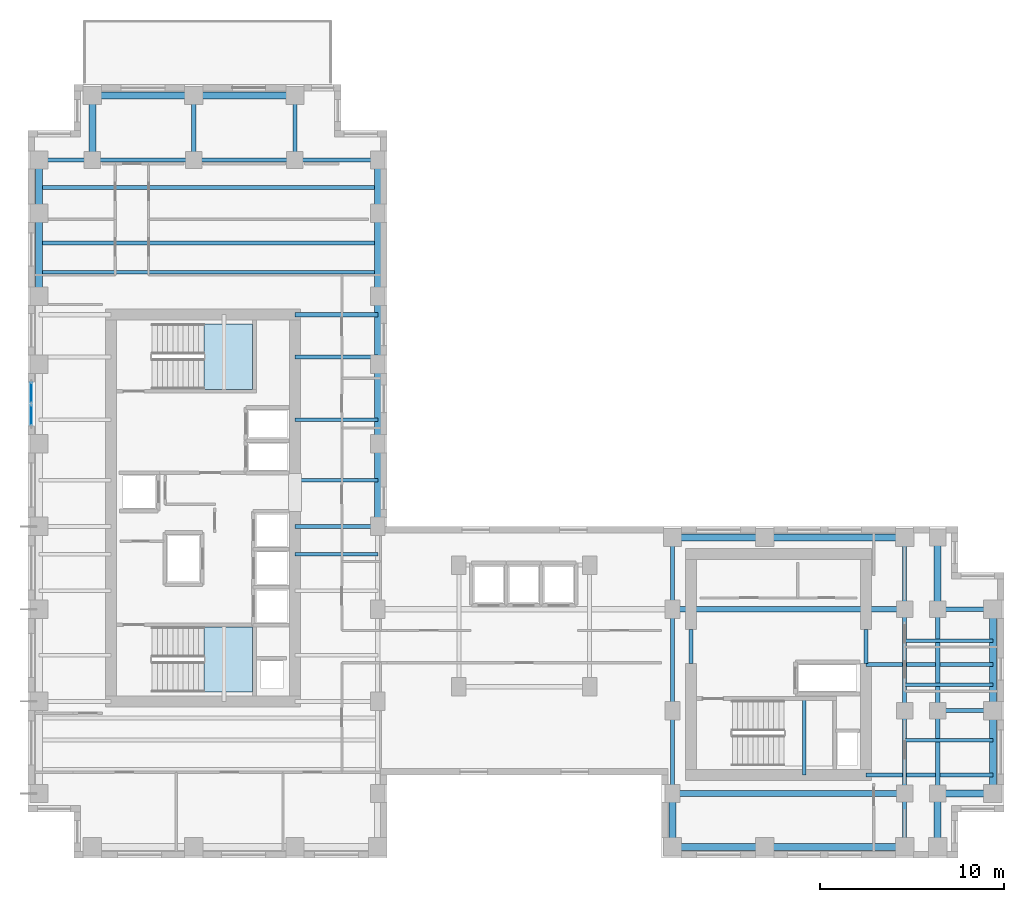
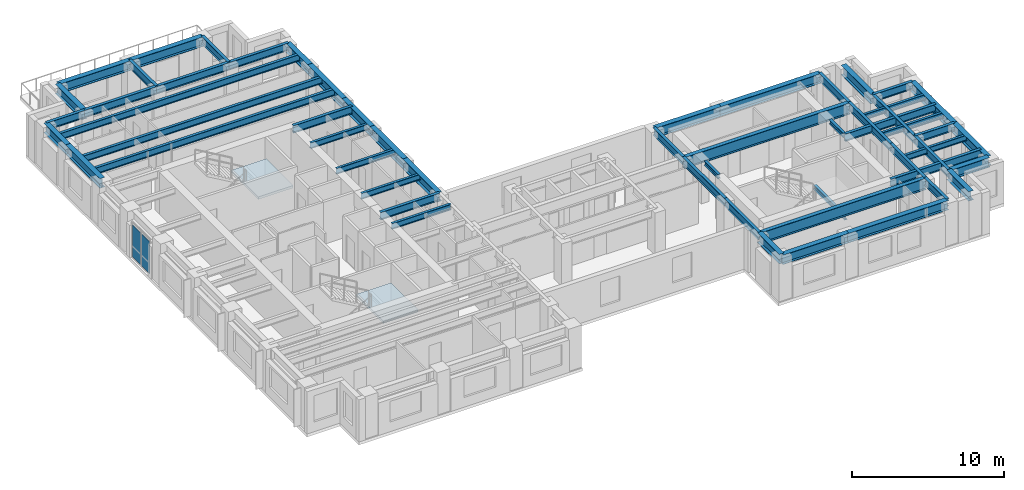
# One storey, part 3 of 13: 56 beams, 2 plates, 2 slabs, 3 elements without a shape of their own.
"""IFC4 building model written with IfcOpenShell, lengths in metres."""

from ifc_helpers import new_model, si_unit, direction, frame, origin, origin_2d, place, context, subcontext, project, spatial, polyline, rectangle, i_section, outline, extrude, source, transform, mapped, material, layer, layer_set, material_profile, profile_set, type_object, element, aggregate, save


model = new_model("IFC4")

# Units and contexts
model_context = context("Model", 3, precision=1e-05, world=origin(), true_north=direction((0.0, 1.0)))
body_context = subcontext(model_context, "Body", "Model", "MODEL_VIEW")
ifc_project = project(units=[si_unit("LENGTHUNIT", "METRE"), si_unit("AREAUNIT", "SQUARE_METRE"), si_unit("VOLUMEUNIT", "CUBIC_METRE"), si_unit("PLANEANGLEUNIT", "RADIAN"), si_unit("MASSUNIT", "GRAM", prefix="KILO")], contexts=[model_context])

# Site, building, storey
site_placement = place(None, origin())
site = spatial("IfcSite", under=ifc_project, at=site_placement, CompositionType="ELEMENT")
building_placement = place(site_placement, origin())
building = spatial("IfcBuilding", under=site, at=building_placement, Name="Kharzan Plaza Tower", CompositionType="ELEMENT")
storey_placement = place(building_placement, frame((0.0, 0.0, 143.10009765625)))
storey = spatial("IfcBuildingStorey", under=building, at=storey_placement, Name="L38", CompositionType="ELEMENT", Elevation=143.10009765625)

# Beams
ifc_material_1 = material(Name="Steel S355", Category="steel")
ifc_material_profile_1 = material_profile(ifc_material_1, i_section(OverallWidth=0.205078125, OverallDepth=0.35400390625, WebThickness=0.009521484375, FlangeThickness=0.016845703125, at=origin_2d()), Name="W360x79")
ifc_profile_set_1 = profile_set([ifc_material_profile_1], Name="Steel S355")
beam_type_1 = type_object("IfcBeamType", Name="BM-LNT360", PredefinedType="LINTEL", material=ifc_profile_set_1)
shared_shape_1 = source(origin(), body_context, "Body", "SweptSolid", [
    extrude(i_section(OverallWidth=0.205078125, OverallDepth=0.35400390625, WebThickness=0.009521484375, FlangeThickness=0.016845703125, at=origin_2d()), origin(), (0.0, 0.0, 1.0), 1.849853515625),
])
for number, where, z_axis, x_axis, name in (
    (1, (45.5, 10.550048828125, 3.222900390625), (0.0, 1.0, 0.0), (-1.0, 0.0, 0.0), "L38 CORE-B coupling lintel LN1-WE"),
    (2, (36.0, 10.550048828125, 3.222900390625), (0.0, 1.0, 0.0), (-1.0, 0.0, 0.0), "L38 CORE-B coupling lintel LN1-WW"),
):
    element("IfcBeam", number, at=place(storey_placement, frame(where, z_axis=z_axis, x_axis=x_axis)), inside=storey, type_object=beam_type_1, Name=name, PredefinedType="LINTEL", context=body_context, shape_type="MappedRepresentation", body=[
        mapped(shared_shape_1, transform((0.0, 0.0, 0.0), x_axis=(1.0, 0.0, 0.0), y_axis=(0.0, 1.0, 0.0), z_axis=(0.0, 0.0, 1.0))),
    ])
shared_shape_2 = source(origin(), body_context, "Body", "SweptSolid", [
    extrude(i_section(OverallWidth=0.205078125, OverallDepth=0.35400390625, WebThickness=0.009521484375, FlangeThickness=0.016845703125, at=origin_2d()), origin(), (0.0, 0.0, 1.0), 4.155029296875),
])
beam_1_placement = place(storey_placement, frame((42.14990234375, 4.5, 1.4228515625), z_axis=(0.0, 1.0, 0.0), x_axis=(-1.0, 0.0, 0.0)))
element("IfcBeam", 3, at=beam_1_placement, inside=storey, type_object=beam_type_1, Name="L38 Stair ST-3 Half-Landing Beam", PredefinedType="LINTEL", context=body_context, shape_type="MappedRepresentation", body=[
    mapped(shared_shape_2, transform((0.0, 0.0, 0.0), x_axis=(1.0, 0.0, 0.0), y_axis=(0.0, 1.0, 0.0), z_axis=(0.0, 0.0, 1.0))),
])
ifc_material_profile_2 = material_profile(ifc_material_1, i_section(OverallWidth=0.304931640625, OverallDepth=0.9189453125, WebThickness=0.017333984375, FlangeThickness=0.02783203125, at=origin_2d()), Name="W920x253")
ifc_profile_set_2 = profile_set([ifc_material_profile_2], Name="Steel S355")
beam_type_2 = type_object("IfcBeamType", Name="BM-FG920B", PredefinedType="BEAM", material=ifc_profile_set_2)
shared_shape_3 = source(origin(), body_context, "Body", "SweptSolid", [
    extrude(i_section(OverallWidth=0.304931640625, OverallDepth=0.9189453125, WebThickness=0.017333984375, FlangeThickness=0.02783203125, at=origin_2d()), origin(), (0.0, 0.0, 1.0), 12.60009765625),
])
for number, where, z_axis, x_axis, name in (
    (4, (35.0, 3.5, 2.9404296875), (1.0, 0.0, 0.0), (0.0, 1.0, 0.0), "L38 Primary Floor Girder"),
    (5, (35.0, 13.5, 2.9404296875), (1.0, 0.0, 0.0), (0.0, 1.0, 0.0), "L38 Primary Floor Girder"),
):
    element("IfcBeam", number, at=place(storey_placement, frame(where, z_axis=z_axis, x_axis=x_axis)), inside=storey, type_object=beam_type_2, Name=name, PredefinedType="BEAM", context=body_context, shape_type="MappedRepresentation", body=[
        mapped(shared_shape_3, transform((0.0, 0.0, 0.0), x_axis=(1.0, 0.0, 0.0), y_axis=(0.0, 1.0, 0.0), z_axis=(0.0, 0.0, 1.0))),
    ])
ifc_material_profile_3 = material_profile(ifc_material_1, i_section(OverallWidth=0.2099609375, OverallDepth=0.537109375, WebThickness=0.010986328125, FlangeThickness=0.017333984375, at=origin_2d()), Name="W530x101")
ifc_profile_set_3 = profile_set([ifc_material_profile_3], Name="Steel S355")
beam_type_3 = type_object("IfcBeamType", Name="BM-JST530B", PredefinedType="JOIST", material=ifc_profile_set_3)
shared_shape_4 = source(origin(), body_context, "Body", "SweptSolid", [
    extrude(i_section(OverallWidth=0.2099609375, OverallDepth=0.537109375, WebThickness=0.010986328125, FlangeThickness=0.017333984375, at=origin_2d()), origin(), (0.0, 0.0, 1.0), 18.39990234375),
])
for number, where, z_axis, x_axis, name in (
    (6, (0.60009765625, 31.800048828125, 3.13134765625), (1.0, 0.0, 0.0), (0.0, 1.0, 0.0), "L38 Wing A Composite Joist 04"),
    (7, (0.60009765625, 33.39990234375, 3.13134765625), (1.0, 0.0, 0.0), (0.0, 1.0, 0.0), "L38 Wing A Composite Joist 05"),
    (8, (0.60009765625, 36.39990234375, 3.13134765625), (1.0, 0.0, 0.0), (0.0, 1.0, 0.0), "L38 Wing A Composite Joist 06"),
):
    element("IfcBeam", number, at=place(storey_placement, frame(where, z_axis=z_axis, x_axis=x_axis)), inside=storey, type_object=beam_type_3, Name=name, PredefinedType="JOIST", context=body_context, shape_type="MappedRepresentation", body=[
        mapped(shared_shape_4, transform((0.0, 0.0, 0.0), x_axis=(1.0, 0.0, 0.0), y_axis=(0.0, 1.0, 0.0), z_axis=(0.0, 0.0, 1.0))),
    ])
ifc_material_profile_4 = material_profile(ifc_material_1, i_section(OverallWidth=0.194091796875, OverallDepth=0.468994140625, WebThickness=0.011474609375, FlangeThickness=0.0205078125, at=origin_2d()), Name="W460x106")
ifc_profile_set_4 = profile_set([ifc_material_profile_4], Name="Steel S355")
beam_type_4 = type_object("IfcBeamType", Name="BM-JST460", PredefinedType="JOIST", material=ifc_profile_set_4)
shared_shape_5 = source(origin(), body_context, "Body", "SweptSolid", [
    extrude(i_section(OverallWidth=0.194091796875, OverallDepth=0.468994140625, WebThickness=0.011474609375, FlangeThickness=0.0205078125, at=origin_2d()), origin(), (0.0, 0.0, 1.0), 4.5),
])
for number, where, z_axis, x_axis, name in (
    (9, (14.5, 16.5, 3.165283203125), (1.0, 0.0, 0.0), (0.0, 1.0, 0.0), "L38 Wing A East Infill Joist 3"),
    (10, (14.5, 20.5, 3.165283203125), (1.0, 0.0, 0.0), (0.0, 1.0, 0.0), "L38 Wing A East Infill Joist 4"),
    (11, (14.5, 23.800048828125, 3.165283203125), (1.0, 0.0, 0.0), (0.0, 1.0, 0.0), "L38 Wing A East Infill Joist 5"),
    (12, (14.5, 27.199951171875, 3.165283203125), (1.0, 0.0, 0.0), (0.0, 1.0, 0.0), "L38 Wing A East Infill Joist 6"),
):
    element("IfcBeam", number, at=place(storey_placement, frame(where, z_axis=z_axis, x_axis=x_axis)), inside=storey, type_object=beam_type_4, Name=name, PredefinedType="JOIST", context=body_context, shape_type="MappedRepresentation", body=[
        mapped(shared_shape_5, transform((0.0, 0.0, 0.0), x_axis=(1.0, 0.0, 0.0), y_axis=(0.0, 1.0, 0.0), z_axis=(0.0, 0.0, 1.0))),
    ])
ifc_material_profile_5 = material_profile(ifc_material_1, i_section(OverallWidth=0.22900390625, OverallDepth=0.612060546875, WebThickness=0.011962890625, FlangeThickness=0.01953125, at=origin_2d()), Name="W610x125")
ifc_profile_set_5 = profile_set([ifc_material_profile_5], Name="Steel S355")
beam_type_5 = type_object("IfcBeamType", Name="BM-FG610B", PredefinedType="BEAM", material=ifc_profile_set_5)
shared_shape_6 = source(origin(), body_context, "Body", "SweptSolid", [
    extrude(i_section(OverallWidth=0.22900390625, OverallDepth=0.612060546875, WebThickness=0.011962890625, FlangeThickness=0.01953125, at=origin_2d()), origin(), (0.0, 0.0, 1.0), 4.5),
])
for number, where, z_axis, x_axis, name in (
    (13, (14.5, 18.0, 3.093994140625), (1.0, 0.0, 0.0), (0.0, 1.0, 0.0), "L38 Core-A East Floor Girder 2"),
    (14, (14.5, 29.5, 3.093994140625), (1.0, 0.0, 0.0), (0.0, 1.0, 0.0), "L38 Core-A East Floor Girder 3"),
    (15, (35.0, 3.5, 3.093994140625), (0.0, 1.0, 0.0), (-1.0, 0.0, 0.0), "L38 Interior Frame Girder"),
    (16, (47.60009765625, 3.5, 3.093994140625), (0.0, 1.0, 0.0), (-1.0, 0.0, 0.0), "L38 Interior Frame Girder"),
    (17, (49.39990234375, 3.5, 3.093994140625), (0.0, 1.0, 0.0), (-1.0, 0.0, 0.0), "L38 Interior Frame Girder"),
    (18, (14.5, 37.89990234375, 3.093994140625), (1.0, 0.0, 0.0), (0.0, 1.0, 0.0), "L38 Primary Floor Girder"),
):
    element("IfcBeam", number, at=place(storey_placement, frame(where, z_axis=z_axis, x_axis=x_axis)), inside=storey, type_object=beam_type_5, Name=name, PredefinedType="BEAM", context=body_context, shape_type="MappedRepresentation", body=[
        mapped(shared_shape_6, transform((0.0, 0.0, 0.0), x_axis=(1.0, 0.0, 0.0), y_axis=(0.0, 1.0, 0.0), z_axis=(0.0, 0.0, 1.0))),
    ])
shared_shape_7 = source(origin(), body_context, "Body", "SweptSolid", [
    extrude(i_section(OverallWidth=0.22900390625, OverallDepth=0.612060546875, WebThickness=0.011962890625, FlangeThickness=0.01953125, at=origin_2d()), origin(), (0.0, 0.0, 1.0), 3.89990234375),
])
for number, where, z_axis, x_axis, name in (
    (19, (35.0, 13.5, 3.093994140625), (0.0, 1.0, 0.0), (-1.0, 0.0, 0.0), "L38 Interior Frame Girder"),
    (20, (47.60009765625, 13.5, 3.093994140625), (0.0, 1.0, 0.0), (-1.0, 0.0, 0.0), "L38 Interior Frame Girder"),
):
    element("IfcBeam", number, at=place(storey_placement, frame(where, z_axis=z_axis, x_axis=x_axis)), inside=storey, type_object=beam_type_5, Name=name, PredefinedType="BEAM", context=body_context, shape_type="MappedRepresentation", body=[
        mapped(shared_shape_7, transform((0.0, 0.0, 0.0), x_axis=(1.0, 0.0, 0.0), y_axis=(0.0, 1.0, 0.0), z_axis=(0.0, 0.0, 1.0))),
    ])
shared_shape_8 = source(origin(), body_context, "Body", "SweptSolid", [
    extrude(i_section(OverallWidth=0.22900390625, OverallDepth=0.612060546875, WebThickness=0.011962890625, FlangeThickness=0.01953125, at=origin_2d()), origin(), (0.0, 0.0, 1.0), 6.89990234375),
])
for number, where, z_axis, x_axis, name in (
    (21, (45.5, 4.5, 3.093994140625), (1.0, 0.0, 0.0), (0.0, 1.0, 0.0), "L38 Core-B East Floor Girder 1"),
    (22, (45.5, 10.5, 3.093994140625), (1.0, 0.0, 0.0), (0.0, 1.0, 0.0), "L38 Core-B East Floor Girder 2"),
):
    element("IfcBeam", number, at=place(storey_placement, frame(where, z_axis=z_axis, x_axis=x_axis)), inside=storey, type_object=beam_type_5, Name=name, PredefinedType="BEAM", context=body_context, shape_type="MappedRepresentation", body=[
        mapped(shared_shape_8, transform((0.0, 0.0, 0.0), x_axis=(1.0, 0.0, 0.0), y_axis=(0.0, 1.0, 0.0), z_axis=(0.0, 0.0, 1.0))),
    ])
shared_shape_9 = source(origin(), body_context, "Body", "SweptSolid", [
    extrude(i_section(OverallWidth=0.22900390625, OverallDepth=0.612060546875, WebThickness=0.011962890625, FlangeThickness=0.01953125, at=origin_2d()), origin(), (0.0, 0.0, 1.0), 3.5),
])
for number, where, z_axis, x_axis, name in (
    (23, (9.0, 37.89990234375, 3.093994140625), (0.0, 1.0, 0.0), (-1.0, 0.0, 0.0), "L38 Interior Frame Girder"),
    (24, (14.5, 37.89990234375, 3.093994140625), (0.0, 1.0, 0.0), (-1.0, 0.0, 0.0), "L38 Interior Frame Girder"),
):
    element("IfcBeam", number, at=place(storey_placement, frame(where, z_axis=z_axis, x_axis=x_axis)), inside=storey, type_object=beam_type_5, Name=name, PredefinedType="BEAM", context=body_context, shape_type="MappedRepresentation", body=[
        mapped(shared_shape_9, transform((0.0, 0.0, 0.0), x_axis=(1.0, 0.0, 0.0), y_axis=(0.0, 1.0, 0.0), z_axis=(0.0, 0.0, 1.0))),
    ])
shared_shape_10 = source(origin(), body_context, "Body", "SweptSolid", [
    extrude(i_section(OverallWidth=0.22900390625, OverallDepth=0.612060546875, WebThickness=0.011962890625, FlangeThickness=0.01953125, at=origin_2d()), origin(), (0.0, 0.0, 1.0), 5.5),
])
for number, where, z_axis, x_axis, name in (
    (25, (35.0, 8.0, 3.093994140625), (0.0, 1.0, 0.0), (-1.0, 0.0, 0.0), "L38 Interior Frame Girder"),
    (26, (47.60009765625, 8.0, 3.093994140625), (0.0, 1.0, 0.0), (-1.0, 0.0, 0.0), "L38 Interior Frame Girder"),
    (27, (49.39990234375, 8.0, 3.093994140625), (0.0, 1.0, 0.0), (-1.0, 0.0, 0.0), "L38 Interior Frame Girder"),
    (28, (3.5, 37.89990234375, 3.093994140625), (1.0, 0.0, 0.0), (0.0, 1.0, 0.0), "L38 Primary Floor Girder"),
    (29, (9.0, 37.89990234375, 3.093994140625), (1.0, 0.0, 0.0), (0.0, 1.0, 0.0), "L38 Primary Floor Girder"),
):
    element("IfcBeam", number, at=place(storey_placement, frame(where, z_axis=z_axis, x_axis=x_axis)), inside=storey, type_object=beam_type_5, Name=name, PredefinedType="BEAM", context=body_context, shape_type="MappedRepresentation", body=[
        mapped(shared_shape_10, transform((0.0, 0.0, 0.0), x_axis=(1.0, 0.0, 0.0), y_axis=(0.0, 1.0, 0.0), z_axis=(0.0, 0.0, 1.0))),
    ])
shared_shape_11 = source(origin(), body_context, "Body", "SweptSolid", [
    extrude(i_section(OverallWidth=0.22900390625, OverallDepth=0.612060546875, WebThickness=0.011962890625, FlangeThickness=0.01953125, at=origin_2d()), origin(), (0.0, 0.0, 1.0), 2.89990234375),
])
for number, where, z_axis, x_axis, name in (
    (30, (47.60009765625, 0.60009765625, 3.093994140625), (0.0, 1.0, 0.0), (-1.0, 0.0, 0.0), "L38 Interior Frame Girder"),
    (31, (0.60009765625, 37.89990234375, 3.093994140625), (1.0, 0.0, 0.0), (0.0, 1.0, 0.0), "L38 Primary Floor Girder"),
):
    element("IfcBeam", number, at=place(storey_placement, frame(where, z_axis=z_axis, x_axis=x_axis)), inside=storey, type_object=beam_type_5, Name=name, PredefinedType="BEAM", context=body_context, shape_type="MappedRepresentation", body=[
        mapped(shared_shape_11, transform((0.0, 0.0, 0.0), x_axis=(1.0, 0.0, 0.0), y_axis=(0.0, 1.0, 0.0), z_axis=(0.0, 0.0, 1.0))),
    ])
shared_shape_12 = source(origin(), body_context, "Body", "SweptSolid", [
    extrude(i_section(OverallWidth=0.22900390625, OverallDepth=0.612060546875, WebThickness=0.011962890625, FlangeThickness=0.01953125, at=origin_2d()), origin(), (0.0, 0.0, 1.0), 3.0),
])
for number, where, z_axis, x_axis, name in (
    (32, (49.39990234375, 8.0, 3.093994140625), (1.0, 0.0, 0.0), (0.0, 1.0, 0.0), "L38 Primary Floor Girder"),
    (33, (49.39990234375, 13.5, 3.093994140625), (1.0, 0.0, 0.0), (0.0, 1.0, 0.0), "L38 Primary Floor Girder"),
):
    element("IfcBeam", number, at=place(storey_placement, frame(where, z_axis=z_axis, x_axis=x_axis)), inside=storey, type_object=beam_type_5, Name=name, PredefinedType="BEAM", context=body_context, shape_type="MappedRepresentation", body=[
        mapped(shared_shape_12, transform((0.0, 0.0, 0.0), x_axis=(1.0, 0.0, 0.0), y_axis=(0.0, 1.0, 0.0), z_axis=(0.0, 0.0, 1.0))),
    ])
shared_shape_13 = source(origin(), body_context, "Body", "SweptSolid", [
    extrude(i_section(OverallWidth=0.194091796875, OverallDepth=0.468994140625, WebThickness=0.011474609375, FlangeThickness=0.0205078125, at=origin_2d()), origin(), (0.0, 0.0, 1.0), 4.7998046875),
])
for number, where, z_axis, x_axis, name in (
    (34, (47.60009765625, 6.39990234375, 3.165283203125), (1.0, 0.0, 0.0), (0.0, 1.0, 0.0), "L38 Wing B Composite Joist 02"),
    (35, (47.60009765625, 9.39990234375, 3.165283203125), (1.0, 0.0, 0.0), (0.0, 1.0, 0.0), "L38 Wing B Composite Joist 03"),
    (36, (47.60009765625, 11.800048828125, 3.165283203125), (1.0, 0.0, 0.0), (0.0, 1.0, 0.0), "L38 Wing B Composite Joist 04"),
):
    element("IfcBeam", number, at=place(storey_placement, frame(where, z_axis=z_axis, x_axis=x_axis)), inside=storey, type_object=beam_type_4, Name=name, PredefinedType="JOIST", context=body_context, shape_type="MappedRepresentation", body=[
        mapped(shared_shape_13, transform((0.0, 0.0, 0.0), x_axis=(1.0, 0.0, 0.0), y_axis=(0.0, 1.0, 0.0), z_axis=(0.0, 0.0, 1.0))),
    ])
ifc_material_profile_6 = material_profile(ifc_material_1, i_section(OverallWidth=0.381103515625, OverallDepth=0.77294921875, WebThickness=0.0166015625, FlangeThickness=0.027587890625, at=origin_2d()), Name="W760x257")
ifc_profile_set_6 = profile_set([ifc_material_profile_6], Name="Steel S355")
beam_type_6 = type_object("IfcBeamType", Name="BM-SP760A", PredefinedType="SPANDREL", material=ifc_profile_set_6)
shared_shape_14 = source(origin(), body_context, "Body", "SweptSolid", [
    extrude(i_section(OverallWidth=0.381103515625, OverallDepth=0.77294921875, WebThickness=0.0166015625, FlangeThickness=0.027587890625, at=origin_2d()), origin(), (0.0, 0.0, 1.0), 5.0),
])
for number, where, z_axis, x_axis, name in (
    (37, (35.0, 0.60009765625, 3.013427734375), (1.0, 0.0, 0.0), (0.0, 1.0, 0.0), "L38 Perimeter Tube Spandrel"),
    (38, (35.0, 17.39990234375, 3.013427734375), (1.0, 0.0, 0.0), (0.0, 1.0, 0.0), "L38 Perimeter Tube Spandrel"),
):
    element("IfcBeam", number, at=place(storey_placement, frame(where, z_axis=z_axis, x_axis=x_axis)), inside=storey, type_object=beam_type_6, Name=name, PredefinedType="SPANDREL", context=body_context, shape_type="MappedRepresentation", body=[
        mapped(shared_shape_14, transform((0.0, 0.0, 0.0), x_axis=(1.0, 0.0, 0.0), y_axis=(0.0, 1.0, 0.0), z_axis=(0.0, 0.0, 1.0))),
    ])
shared_shape_15 = source(origin(), body_context, "Body", "SweptSolid", [
    extrude(i_section(OverallWidth=0.381103515625, OverallDepth=0.77294921875, WebThickness=0.0166015625, FlangeThickness=0.027587890625, at=origin_2d()), origin(), (0.0, 0.0, 1.0), 4.5),
])
for number, where, z_axis, x_axis, name in (
    (39, (0.60009765625, 30.5, 3.013427734375), (0.0, 1.0, 0.0), (-1.0, 0.0, 0.0), "L38 Perimeter Tube Spandrel"),
    (40, (19.0, 18.0, 3.013427734375), (0.0, 1.0, 0.0), (-1.0, 0.0, 0.0), "L38 Perimeter Tube Spandrel"),
    (41, (19.0, 30.5, 3.013427734375), (0.0, 1.0, 0.0), (-1.0, 0.0, 0.0), "L38 Perimeter Tube Spandrel"),
    (42, (52.39990234375, 3.5, 3.013427734375), (0.0, 1.0, 0.0), (-1.0, 0.0, 0.0), "L38 Perimeter Tube Spandrel"),
):
    element("IfcBeam", number, at=place(storey_placement, frame(where, z_axis=z_axis, x_axis=x_axis)), inside=storey, type_object=beam_type_6, Name=name, PredefinedType="SPANDREL", context=body_context, shape_type="MappedRepresentation", body=[
        mapped(shared_shape_15, transform((0.0, 0.0, 0.0), x_axis=(1.0, 0.0, 0.0), y_axis=(0.0, 1.0, 0.0), z_axis=(0.0, 0.0, 1.0))),
    ])
shared_shape_16 = source(origin(), body_context, "Body", "SweptSolid", [
    extrude(i_section(OverallWidth=0.381103515625, OverallDepth=0.77294921875, WebThickness=0.0166015625, FlangeThickness=0.027587890625, at=origin_2d()), origin(), (0.0, 0.0, 1.0), 4.300048828125),
])
beam_2_placement = place(storey_placement, frame((19.0, 22.5, 3.013427734375), z_axis=(0.0, 1.0, 0.0), x_axis=(-1.0, 0.0, 0.0)))
element("IfcBeam", 43, at=beam_2_placement, inside=storey, type_object=beam_type_6, Name="L38 Perimeter Tube Spandrel", PredefinedType="SPANDREL", context=body_context, shape_type="MappedRepresentation", body=[
    mapped(shared_shape_16, transform((0.0, 0.0, 0.0), x_axis=(1.0, 0.0, 0.0), y_axis=(0.0, 1.0, 0.0), z_axis=(0.0, 0.0, 1.0))),
])
shared_shape_17 = source(origin(), body_context, "Body", "SweptSolid", [
    extrude(i_section(OverallWidth=0.381103515625, OverallDepth=0.77294921875, WebThickness=0.0166015625, FlangeThickness=0.027587890625, at=origin_2d()), origin(), (0.0, 0.0, 1.0), 3.699951171875),
])
beam_3_placement = place(storey_placement, frame((19.0, 26.800048828125, 3.013427734375), z_axis=(0.0, 1.0, 0.0), x_axis=(-1.0, 0.0, 0.0)))
element("IfcBeam", 44, at=beam_3_placement, inside=storey, type_object=beam_type_6, Name="L38 Perimeter Tube Spandrel", PredefinedType="SPANDREL", context=body_context, shape_type="MappedRepresentation", body=[
    mapped(shared_shape_17, transform((0.0, 0.0, 0.0), x_axis=(1.0, 0.0, 0.0), y_axis=(0.0, 1.0, 0.0), z_axis=(0.0, 0.0, 1.0))),
])
shared_shape_18 = source(origin(), body_context, "Body", "SweptSolid", [
    extrude(i_section(OverallWidth=0.381103515625, OverallDepth=0.77294921875, WebThickness=0.0166015625, FlangeThickness=0.027587890625, at=origin_2d()), origin(), (0.0, 0.0, 1.0), 2.89990234375),
])
for number, where, z_axis, x_axis, name in (
    (45, (0.60009765625, 35.0, 3.013427734375), (0.0, 1.0, 0.0), (-1.0, 0.0, 0.0), "L38 Perimeter Tube Spandrel"),
    (46, (19.0, 35.0, 3.013427734375), (0.0, 1.0, 0.0), (-1.0, 0.0, 0.0), "L38 Perimeter Tube Spandrel"),
    (47, (35.0, 0.60009765625, 3.013427734375), (0.0, 1.0, 0.0), (-1.0, 0.0, 0.0), "L38 Perimeter Tube Spandrel"),
    (48, (49.39990234375, 0.60009765625, 3.013427734375), (0.0, 1.0, 0.0), (-1.0, 0.0, 0.0), "L38 Perimeter Tube Spandrel"),
):
    element("IfcBeam", number, at=place(storey_placement, frame(where, z_axis=z_axis, x_axis=x_axis)), inside=storey, type_object=beam_type_6, Name=name, PredefinedType="SPANDREL", context=body_context, shape_type="MappedRepresentation", body=[
        mapped(shared_shape_18, transform((0.0, 0.0, 0.0), x_axis=(1.0, 0.0, 0.0), y_axis=(0.0, 1.0, 0.0), z_axis=(0.0, 0.0, 1.0))),
    ])
shared_shape_19 = source(origin(), body_context, "Body", "SweptSolid", [
    extrude(i_section(OverallWidth=0.381103515625, OverallDepth=0.77294921875, WebThickness=0.0166015625, FlangeThickness=0.027587890625, at=origin_2d()), origin(), (0.0, 0.0, 1.0), 3.5),
])
beam_4_placement = place(storey_placement, frame((3.5, 37.89990234375, 3.013427734375), z_axis=(0.0, 1.0, 0.0), x_axis=(-1.0, 0.0, 0.0)))
element("IfcBeam", 49, at=beam_4_placement, inside=storey, type_object=beam_type_6, Name="L38 Perimeter Tube Spandrel", PredefinedType="SPANDREL", context=body_context, shape_type="MappedRepresentation", body=[
    mapped(shared_shape_19, transform((0.0, 0.0, 0.0), x_axis=(1.0, 0.0, 0.0), y_axis=(0.0, 1.0, 0.0), z_axis=(0.0, 0.0, 1.0))),
])
shared_shape_20 = source(origin(), body_context, "Body", "SweptSolid", [
    extrude(i_section(OverallWidth=0.381103515625, OverallDepth=0.77294921875, WebThickness=0.0166015625, FlangeThickness=0.027587890625, at=origin_2d()), origin(), (0.0, 0.0, 1.0), 3.89990234375),
])
beam_5_placement = place(storey_placement, frame((49.39990234375, 13.5, 3.013427734375), z_axis=(0.0, 1.0, 0.0), x_axis=(-1.0, 0.0, 0.0)))
element("IfcBeam", 50, at=beam_5_placement, inside=storey, type_object=beam_type_6, Name="L38 Perimeter Tube Spandrel", PredefinedType="SPANDREL", context=body_context, shape_type="MappedRepresentation", body=[
    mapped(shared_shape_20, transform((0.0, 0.0, 0.0), x_axis=(1.0, 0.0, 0.0), y_axis=(0.0, 1.0, 0.0), z_axis=(0.0, 0.0, 1.0))),
])
shared_shape_21 = source(origin(), body_context, "Body", "SweptSolid", [
    extrude(i_section(OverallWidth=0.381103515625, OverallDepth=0.77294921875, WebThickness=0.0166015625, FlangeThickness=0.027587890625, at=origin_2d()), origin(), (0.0, 0.0, 1.0), 5.5),
])
for number, where, z_axis, x_axis, name in (
    (51, (52.39990234375, 8.0, 3.013427734375), (0.0, 1.0, 0.0), (-1.0, 0.0, 0.0), "L38 Perimeter Tube Spandrel"),
    (52, (3.5, 41.39990234375, 3.013427734375), (1.0, 0.0, 0.0), (0.0, 1.0, 0.0), "L38 Perimeter Tube Spandrel"),
    (53, (9.0, 41.39990234375, 3.013427734375), (1.0, 0.0, 0.0), (0.0, 1.0, 0.0), "L38 Perimeter Tube Spandrel"),
):
    element("IfcBeam", number, at=place(storey_placement, frame(where, z_axis=z_axis, x_axis=x_axis)), inside=storey, type_object=beam_type_6, Name=name, PredefinedType="SPANDREL", context=body_context, shape_type="MappedRepresentation", body=[
        mapped(shared_shape_21, transform((0.0, 0.0, 0.0), x_axis=(1.0, 0.0, 0.0), y_axis=(0.0, 1.0, 0.0), z_axis=(0.0, 0.0, 1.0))),
    ])
shared_shape_22 = source(origin(), body_context, "Body", "SweptSolid", [
    extrude(i_section(OverallWidth=0.381103515625, OverallDepth=0.77294921875, WebThickness=0.0166015625, FlangeThickness=0.027587890625, at=origin_2d()), origin(), (0.0, 0.0, 1.0), 7.60009765625),
])
for number, where, z_axis, x_axis, name in (
    (54, (40.0, 0.60009765625, 3.013427734375), (1.0, 0.0, 0.0), (0.0, 1.0, 0.0), "L38 Perimeter Tube Spandrel"),
    (55, (40.0, 17.39990234375, 3.013427734375), (1.0, 0.0, 0.0), (0.0, 1.0, 0.0), "L38 Perimeter Tube Spandrel"),
):
    element("IfcBeam", number, at=place(storey_placement, frame(where, z_axis=z_axis, x_axis=x_axis)), inside=storey, type_object=beam_type_6, Name=name, PredefinedType="SPANDREL", context=body_context, shape_type="MappedRepresentation", body=[
        mapped(shared_shape_22, transform((0.0, 0.0, 0.0), x_axis=(1.0, 0.0, 0.0), y_axis=(0.0, 1.0, 0.0), z_axis=(0.0, 0.0, 1.0))),
    ])
shared_shape_23 = source(origin(), body_context, "Body", "SweptSolid", [
    extrude(i_section(OverallWidth=0.381103515625, OverallDepth=0.77294921875, WebThickness=0.0166015625, FlangeThickness=0.027587890625, at=origin_2d()), origin(), (0.0, 0.0, 1.0), 3.0),
])
beam_6_placement = place(storey_placement, frame((49.39990234375, 3.5, 3.013427734375), z_axis=(1.0, 0.0, 0.0), x_axis=(0.0, 1.0, 0.0)))
element("IfcBeam", 56, at=beam_6_placement, inside=storey, type_object=beam_type_6, Name="L38 Perimeter Tube Spandrel", PredefinedType="SPANDREL", context=body_context, shape_type="MappedRepresentation", body=[
    mapped(shared_shape_23, transform((0.0, 0.0, 0.0), x_axis=(1.0, 0.0, 0.0), y_axis=(0.0, 1.0, 0.0), z_axis=(0.0, 0.0, 1.0))),
])

# Stair, slab
ifc_material_2 = material(Name="Concrete C40/50", Category="concrete")
stair_type_1 = type_object("IfcStairType", Name="STR-ST-1", PredefinedType="HALF_TURN_STAIR", material=ifc_material_2)
stair_1_placement = place(storey_placement, origin())
stair_1 = element("IfcStair", 57, at=stair_1_placement, inside=storey, type_object=stair_type_1, Name="L38 Protected Exit Stair ST-1", PredefinedType="HALF_TURN_STAIR")
ifc_layer_1 = layer(ifc_material_2, 0.219970703125)
ifc_layer_set_1 = layer_set([ifc_layer_1], Name="Concrete C40/50")
slab_type = type_object("IfcSlabType", Name="SL-LANDING-220", PredefinedType="LANDING", material=ifc_layer_set_1)
slab_1_placement = place(storey_placement, frame((0.0, 0.0, 1.599853515625)))
slab_1 = element("IfcSlab", 58, at=slab_1_placement, type_object=slab_type, Name="ST-1 landing 1", PredefinedType="LANDING", context=body_context, shape_type="SweptSolid", body=[
    extrude(outline(polyline([(9.550048828125, 9.0), (12.199951171875, 9.0), (12.199951171875, 12.550048828125), (9.550048828125, 12.550048828125), (9.550048828125, 9.0)])), origin(), (0.0, 0.0, 1.0), 0.199951171875),
])
aggregate(stair_1, [slab_1])

stair_type_2 = type_object("IfcStairType", Name="STR-ST-2", PredefinedType="HALF_TURN_STAIR", material=ifc_material_2)
stair_2_placement = place(storey_placement, origin())
stair_2 = element("IfcStair", 59, at=stair_2_placement, inside=storey, type_object=stair_type_2, Name="L38 Protected Exit Stair ST-2", PredefinedType="HALF_TURN_STAIR")
slab_2_placement = place(storey_placement, frame((0.0, 0.0, 1.599853515625)))
slab_2 = element("IfcSlab", 60, at=slab_2_placement, type_object=slab_type, Name="ST-2 landing 1", PredefinedType="LANDING", context=body_context, shape_type="SweptSolid", body=[
    extrude(outline(polyline([(9.550048828125, 25.449951171875), (12.199951171875, 25.449951171875), (12.199951171875, 29.0), (9.550048828125, 29.0), (9.550048828125, 25.449951171875)])), origin(), (0.0, 0.0, 1.0), 0.199951171875),
])
aggregate(stair_2, [slab_2])

# Curtain wall, plates
ifc_material_3 = material(Name="Unitised Bronze-Anodized Aluminium and Low-E Glass", Category="aluminium")
ifc_layer_2 = layer(ifc_material_3, 0.199951171875)
ifc_layer_set_2 = layer_set([ifc_layer_2], Name="Unitised Bronze-Anodized Aluminium and Low-E Glass")
curtain_wall_type = type_object("IfcCurtainWallType", Name="CW-SKY-4", PredefinedType="NOTDEFINED", material=ifc_layer_set_2)
curtain_wall_placement = place(storey_placement, origin())
curtain_wall = element("IfcCurtainWall", 61, at=curtain_wall_placement, inside=storey, type_object=curtain_wall_type, Name="L38 Sky-Lobby and Transfer Zone Feature Curtain Wall", PredefinedType="NOTDEFINED")
ifc_material_4 = material(Name="Dark Solar-Control Double Glazing", Category="glass")
ifc_layer_3 = layer(ifc_material_4, 0.031982421875)
ifc_layer_set_3 = layer_set([ifc_layer_3], Name="Dark Solar-Control Double Glazing")
plate_type = type_object("IfcPlateType", Name="PLT-CW-GLASS", PredefinedType="CURTAIN_PANEL", material=ifc_layer_set_3)
shared_shape_24 = source(origin(), body_context, "Body", "SweptSolid", [
    extrude(rectangle(XDim=1.080078125, YDim=0.031982421875, at=origin_2d()), origin(), (0.0, 0.0, 1.0), 2.590087890625),
])
plate_1_placement = place(storey_placement, frame((0.179931640625, 24.050048828125, 0.080078125), z_axis=(0.0, 0.0, 1.0), x_axis=(0.0, 1.0, 0.0)))
plate_1 = element("IfcPlate", 62, at=plate_1_placement, type_object=plate_type, Name="L38 Curtain-Wall Glazed Panel 00", PredefinedType="CURTAIN_PANEL", context=body_context, shape_type="MappedRepresentation", body=[
    mapped(shared_shape_24, transform((0.0, 0.0, 0.0), x_axis=(1.0, 0.0, 0.0), y_axis=(0.0, 1.0, 0.0), z_axis=(0.0, 0.0, 1.0))),
])
plate_2_placement = place(storey_placement, frame((0.179931640625, 25.25, 0.080078125), z_axis=(0.0, 0.0, 1.0), x_axis=(0.0, 1.0, 0.0)))
plate_2 = element("IfcPlate", 63, at=plate_2_placement, type_object=plate_type, Name="L38 Curtain-Wall Glazed Panel 01", PredefinedType="CURTAIN_PANEL", context=body_context, shape_type="MappedRepresentation", body=[
    mapped(shared_shape_24, transform((0.0, 0.0, 0.0), x_axis=(1.0, 0.0, 0.0), y_axis=(0.0, 1.0, 0.0), z_axis=(0.0, 0.0, 1.0))),
])
aggregate(curtain_wall, [plate_1, plate_2])

save(model, "model.ifc")
